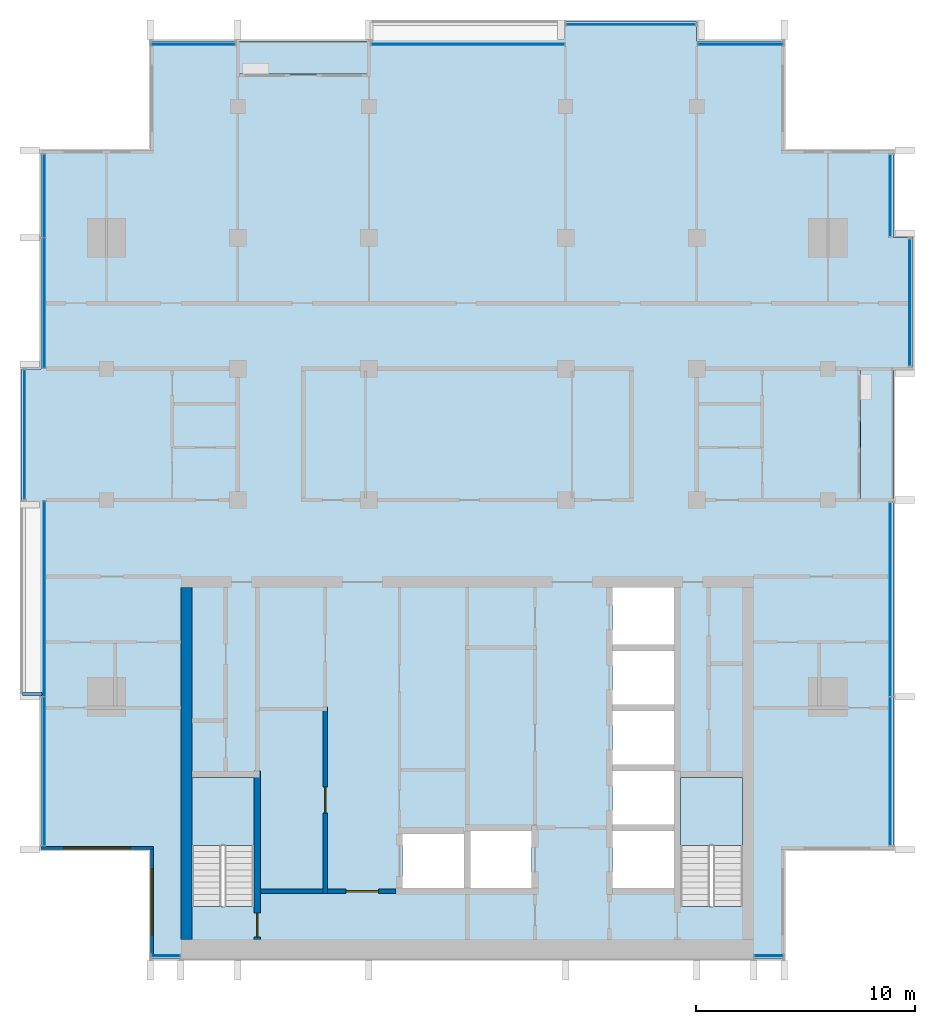
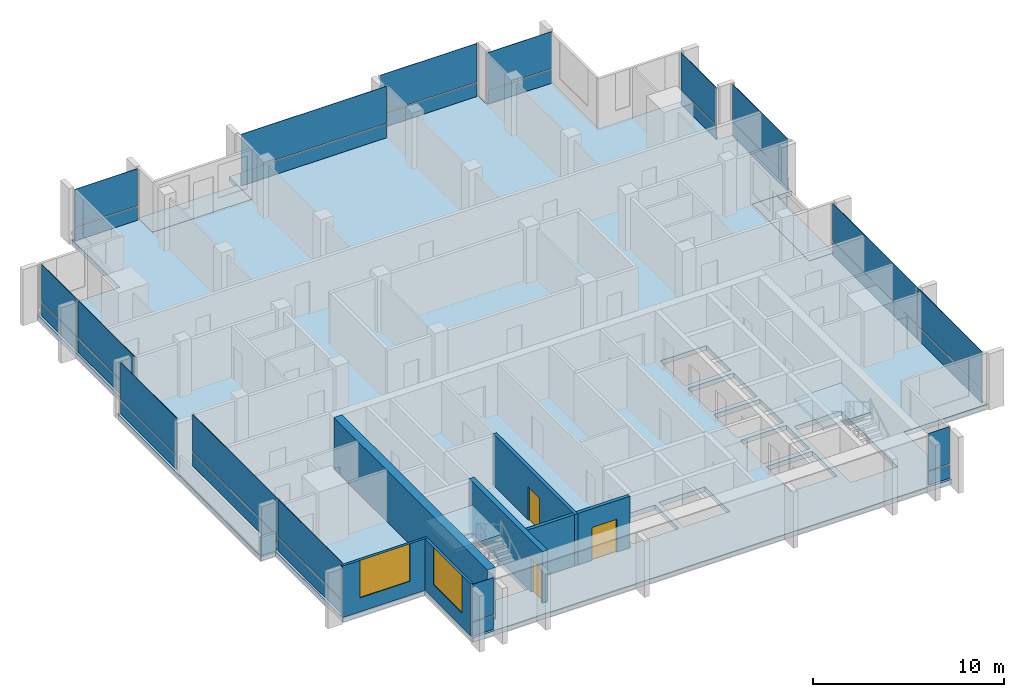
# One storey, part 6 of 15: 30 plates, 8 walls, 5 slabs, 3 doors, 2 windows, 5 openings, 14 elements without a shape of their own.
"""IFC4 building model written with IfcOpenShell, lengths in metres."""

from ifc_helpers import new_model, si_unit, direction, frame, frame_2d, origin, origin_2d, place, context, subcontext, project, spatial, polyline, rectangle, outline, extrude, material, layer, layer_set, type_object, element, fill, aggregate, save


model = new_model("IFC4")

# Units and contexts
model_context = context("Model", 3, precision=1e-05, world=origin(), true_north=direction((0.0, 1.0)))
body_context = subcontext(model_context, "Body", "Model", "MODEL_VIEW")
ifc_project = project(units=[si_unit("LENGTHUNIT", "METRE"), si_unit("AREAUNIT", "SQUARE_METRE"), si_unit("VOLUMEUNIT", "CUBIC_METRE"), si_unit("PLANEANGLEUNIT", "RADIAN"), si_unit("MASSUNIT", "GRAM", prefix="KILO")], contexts=[model_context])

# Site, building, storey
site_placement = place(None, origin())
site = spatial("IfcSite", under=ifc_project, at=site_placement, CompositionType="ELEMENT")
building_placement = place(site_placement, origin())
building = spatial("IfcBuilding", under=site, at=building_placement, Name="Finial Court Residences", CompositionType="ELEMENT")
storey_placement = place(building_placement, frame((0.0, 0.0, 269.89990234375)))
storey = spatial("IfcBuildingStorey", under=building, at=storey_placement, Name="L68", CompositionType="ELEMENT", Elevation=269.89990234375)

# Slabs
ifc_material_1 = material(Name="Concrete C35/45", Category="concrete")
ifc_layer_1 = layer(ifc_material_1, 0.199951171875)
ifc_layer_set_1 = layer_set([ifc_layer_1], Name="Balcony slab, Concrete C35/45 200")
slab_type_1 = type_object("IfcSlabType", Name="Balcony slab, Concrete C35/45 200", PredefinedType="FLOOR", material=ifc_layer_set_1)
slab_1_placement = place(storey_placement, frame((0.0, 0.0, -0.199951171875)))
element("IfcSlab", 1, at=slab_1_placement, inside=storey, type_object=slab_type_1, Name="Balcony L68-N2", PredefinedType="FLOOR", context=body_context, shape_type="SweptSolid", body=[
    extrude(outline(polyline([(-4.5, 15.0), (-4.5, 16.5), (-10.5, 16.5), (-10.5, 15.0), (-4.5, 15.0)])), origin(), (0.0, 0.0, 1.0), 0.199951171875),
])
slab_2_placement = place(storey_placement, frame((0.0, 0.0, -0.199951171875)))
element("IfcSlab", 2, at=slab_2_placement, inside=storey, type_object=slab_type_1, Name="Balcony L68-E3", PredefinedType="FLOOR", context=body_context, shape_type="SweptSolid", body=[
    extrude(outline(polyline([(19.5, -4.5), (19.5, 1.5), (18.0, 1.5), (18.0, -4.5), (19.5, -4.5)])), origin(), (0.0, 0.0, 1.0), 0.199951171875),
])

# Curtain wall, plate
ifc_material_2 = material(Name="Bronze anodised aluminium", Category="aluminium")
curtain_wall_type = type_object("IfcCurtainWallType", Name="Unitised curtain wall, upper zones", PredefinedType="NOTDEFINED", material=ifc_material_2)
curtain_wall_1_placement = place(storey_placement, origin())
curtain_wall_1 = element("IfcCurtainWall", 3, at=curtain_wall_1_placement, inside=storey, type_object=curtain_wall_type, Name="E-L68-CW-N1", PredefinedType="NOTDEFINED")
ifc_layer_2 = layer(ifc_material_2, 0.035888671875)
ifc_layer_set_2 = layer_set([ifc_layer_2], Name="CW2 spandrel panel 36")
plate_type_1 = type_object("IfcPlateType", Name="CW2 spandrel panel 36", PredefinedType="CURTAIN_PANEL", material=ifc_layer_set_2)
plate_1_placement = place(storey_placement, frame((-12.53759765625, 16.35009765625, 0.0), z_axis=(0.0, 0.0, 1.0), x_axis=(1.0, 0.0, 0.0)))
plate_1 = element("IfcPlate", 4, at=plate_1_placement, type_object=plate_type_1, Name="CW2 spandrel 1.1", PredefinedType="CURTAIN_PANEL", context=body_context, shape_type="SweptSolid", body=[
    extrude(rectangle(XDim=3.804931640625, YDim=0.035888671875, at=origin_2d()), origin(), (0.0, 0.0, 1.0), 0.8701171875),
])

curtain_wall_2_placement = place(storey_placement, origin())
curtain_wall_2 = element("IfcCurtainWall", 5, at=curtain_wall_2_placement, inside=storey, type_object=curtain_wall_type, Name="E-L68-CW-N2", PredefinedType="NOTDEFINED")
plate_2_placement = place(storey_placement, frame((0.03759765625, 16.35009765625, 0.0), z_axis=(0.0, 0.0, 1.0), x_axis=(1.0, 0.0, 0.0)))
plate_2 = element("IfcPlate", 6, at=plate_2_placement, type_object=plate_type_1, Name="CW2 spandrel 1.1", PredefinedType="CURTAIN_PANEL", context=body_context, shape_type="SweptSolid", body=[
    extrude(rectangle(XDim=8.804931640625, YDim=0.035888671875, at=origin_2d()), origin(), (0.0, 0.0, 1.0), 0.8701171875),
])

curtain_wall_3_placement = place(storey_placement, origin())
curtain_wall_3 = element("IfcCurtainWall", 7, at=curtain_wall_3_placement, inside=storey, type_object=curtain_wall_type, Name="E-L68-CW-N3", PredefinedType="NOTDEFINED")
plate_3_placement = place(storey_placement, frame((7.5, 17.25, 0.0), z_axis=(0.0, 0.0, 1.0), x_axis=(1.0, 0.0, 0.0)))
plate_3 = element("IfcPlate", 8, at=plate_3_placement, type_object=plate_type_1, Name="CW2 spandrel 1.1", PredefinedType="CURTAIN_PANEL", context=body_context, shape_type="SweptSolid", body=[
    extrude(rectangle(XDim=5.8798828125, YDim=0.035888671875, at=origin_2d()), origin(), (0.0, 0.0, 1.0), 0.8701171875),
])

curtain_wall_4_placement = place(storey_placement, origin())
curtain_wall_4 = element("IfcCurtainWall", 9, at=curtain_wall_4_placement, inside=storey, type_object=curtain_wall_type, Name="E-L68-CW-N4", PredefinedType="NOTDEFINED")
plate_4_placement = place(storey_placement, frame((12.5, 16.35009765625, 0.0), z_axis=(0.0, 0.0, 1.0), x_axis=(1.0, 0.0, 0.0)))
plate_4 = element("IfcPlate", 10, at=plate_4_placement, type_object=plate_type_1, Name="CW2 spandrel 1.1", PredefinedType="CURTAIN_PANEL", context=body_context, shape_type="SweptSolid", body=[
    extrude(rectangle(XDim=3.8798828125, YDim=0.035888671875, at=origin_2d()), origin(), (0.0, 0.0, 1.0), 0.8701171875),
])

# Curtain wall, plates
curtain_wall_5_placement = place(storey_placement, origin())
curtain_wall_5 = element("IfcCurtainWall", 11, at=curtain_wall_5_placement, inside=storey, type_object=curtain_wall_type, Name="E-L68-CW-E5", PredefinedType="NOTDEFINED")
plate_5_placement = place(storey_placement, frame((19.35009765625, -16.909912109375, 0.0), z_axis=(0.0, 0.0, 1.0), x_axis=(0.0, 1.0, 0.0)))
plate_5 = element("IfcPlate", 12, at=plate_5_placement, type_object=plate_type_1, Name="CW2 spandrel 1.1", PredefinedType="CURTAIN_PANEL", context=body_context, shape_type="SweptSolid", body=[
    extrude(rectangle(XDim=6.760009765625, YDim=0.035888671875, at=origin_2d()), origin(), (0.0, 0.0, 1.0), 0.8701171875),
])
plate_6_placement = place(storey_placement, frame((19.35009765625, -9.052490234375, 0.0), z_axis=(0.0, 0.0, 1.0), x_axis=(0.0, 1.0, 0.0)))
plate_6 = element("IfcPlate", 13, at=plate_6_placement, type_object=plate_type_1, Name="CW2 spandrel 2.1", PredefinedType="CURTAIN_PANEL", context=body_context, shape_type="SweptSolid", body=[
    extrude(rectangle(XDim=8.8349609375, YDim=0.035888671875, at=origin_2d()), origin(), (0.0, 0.0, 1.0), 0.8701171875),
])

# Curtain wall, plate
curtain_wall_6_placement = place(storey_placement, origin())
curtain_wall_6 = element("IfcCurtainWall", 14, at=curtain_wall_6_placement, inside=storey, type_object=curtain_wall_type, Name="E-L68-CW-E6", PredefinedType="NOTDEFINED")
plate_7_placement = place(storey_placement, frame((20.25, 4.53759765625, 0.0), z_axis=(0.0, 0.0, 1.0), x_axis=(0.0, 1.0, 0.0)))
plate_7 = element("IfcPlate", 15, at=plate_7_placement, type_object=plate_type_1, Name="CW2 spandrel 1.1", PredefinedType="CURTAIN_PANEL", context=body_context, shape_type="SweptSolid", body=[
    extrude(rectangle(XDim=5.804931640625, YDim=0.035888671875, at=origin_2d()), origin(), (0.0, 0.0, 1.0), 0.8701171875),
])

curtain_wall_7_placement = place(storey_placement, origin())
curtain_wall_7 = element("IfcCurtainWall", 16, at=curtain_wall_7_placement, inside=storey, type_object=curtain_wall_type, Name="E-L68-CW-E7", PredefinedType="NOTDEFINED")
plate_8_placement = place(storey_placement, frame((19.35009765625, 9.425048828125, 0.0), z_axis=(0.0, 0.0, 1.0), x_axis=(0.0, 1.0, 0.0)))
plate_8 = element("IfcPlate", 17, at=plate_8_placement, type_object=plate_type_1, Name="CW2 spandrel 1.1", PredefinedType="CURTAIN_PANEL", context=body_context, shape_type="SweptSolid", body=[
    extrude(rectangle(XDim=3.72998046875, YDim=0.035888671875, at=origin_2d()), origin(), (0.0, 0.0, 1.0), 0.8701171875),
])

curtain_wall_8_placement = place(storey_placement, origin())
curtain_wall_8 = element("IfcCurtainWall", 18, at=curtain_wall_8_placement, inside=storey, type_object=curtain_wall_type, Name="E-L68-CW-S8", PredefinedType="NOTDEFINED")
plate_9_placement = place(storey_placement, frame((-13.800048828125, -25.35009765625, 0.0), z_axis=(0.0, 0.0, 1.0), x_axis=(1.0, 0.0, 0.0)))
plate_9 = element("IfcPlate", 19, at=plate_9_placement, type_object=plate_type_1, Name="CW2 spandrel 1.1", PredefinedType="CURTAIN_PANEL", context=body_context, shape_type="SweptSolid", body=[
    extrude(rectangle(XDim=1.280029296875, YDim=0.035888671875, at=origin_2d()), origin(), (0.0, 0.0, 1.0), 0.8701171875),
])

curtain_wall_9_placement = place(storey_placement, origin())
curtain_wall_9 = element("IfcCurtainWall", 20, at=curtain_wall_9_placement, inside=storey, type_object=curtain_wall_type, Name="E-L68-CW-S9", PredefinedType="NOTDEFINED")
plate_10_placement = place(storey_placement, frame((13.800048828125, -25.35009765625, 0.0), z_axis=(0.0, 0.0, 1.0), x_axis=(1.0, 0.0, 0.0)))
plate_10 = element("IfcPlate", 21, at=plate_10_placement, type_object=plate_type_1, Name="CW2 spandrel 1.1", PredefinedType="CURTAIN_PANEL", context=body_context, shape_type="SweptSolid", body=[
    extrude(rectangle(XDim=1.280029296875, YDim=0.035888671875, at=origin_2d()), origin(), (0.0, 0.0, 1.0), 0.8701171875),
])

# Curtain wall, plates
curtain_wall_10_placement = place(storey_placement, origin())
curtain_wall_10 = element("IfcCurtainWall", 22, at=curtain_wall_10_placement, inside=storey, type_object=curtain_wall_type, Name="E-L68-CW-W10", PredefinedType="NOTDEFINED")
plate_11_placement = place(storey_placement, frame((-19.35009765625, -16.909912109375, 0.0), z_axis=(0.0, 0.0, 1.0), x_axis=(0.0, 1.0, 0.0)))
plate_11 = element("IfcPlate", 23, at=plate_11_placement, type_object=plate_type_1, Name="CW2 spandrel 1.1", PredefinedType="CURTAIN_PANEL", context=body_context, shape_type="SweptSolid", body=[
    extrude(rectangle(XDim=6.760009765625, YDim=0.035888671875, at=origin_2d()), origin(), (0.0, 0.0, 1.0), 0.8701171875),
])
plate_12_placement = place(storey_placement, frame((-19.35009765625, -9.014892578125, 0.0), z_axis=(0.0, 0.0, 1.0), x_axis=(0.0, 1.0, 0.0)))
plate_12 = element("IfcPlate", 24, at=plate_12_placement, type_object=plate_type_1, Name="CW2 spandrel 2.1", PredefinedType="CURTAIN_PANEL", context=body_context, shape_type="SweptSolid", body=[
    extrude(rectangle(XDim=8.909912109375, YDim=0.035888671875, at=origin_2d()), origin(), (0.0, 0.0, 1.0), 0.8701171875),
])

# Curtain wall, plate
curtain_wall_11_placement = place(storey_placement, origin())
curtain_wall_11 = element("IfcCurtainWall", 25, at=curtain_wall_11_placement, inside=storey, type_object=curtain_wall_type, Name="E-L68-CW-W11", PredefinedType="NOTDEFINED")
plate_13_placement = place(storey_placement, frame((-20.25, -1.5, 0.0), z_axis=(0.0, 0.0, 1.0), x_axis=(0.0, 1.0, 0.0)))
plate_13 = element("IfcPlate", 26, at=plate_13_placement, type_object=plate_type_1, Name="CW2 spandrel 1.1", PredefinedType="CURTAIN_PANEL", context=body_context, shape_type="SweptSolid", body=[
    extrude(rectangle(XDim=5.8798828125, YDim=0.035888671875, at=origin_2d()), origin(), (0.0, 0.0, 1.0), 0.8701171875),
])

# Curtain wall, plates
curtain_wall_12_placement = place(storey_placement, origin())
curtain_wall_12 = element("IfcCurtainWall", 27, at=curtain_wall_12_placement, inside=storey, type_object=curtain_wall_type, Name="E-L68-CW-W12", PredefinedType="NOTDEFINED")
plate_14_placement = place(storey_placement, frame((-19.35009765625, 4.514892578125, 0.0), z_axis=(0.0, 0.0, 1.0), x_axis=(0.0, 1.0, 0.0)))
plate_14 = element("IfcPlate", 28, at=plate_14_placement, type_object=plate_type_1, Name="CW2 spandrel 1.1", PredefinedType="CURTAIN_PANEL", context=body_context, shape_type="SweptSolid", body=[
    extrude(rectangle(XDim=5.909912109375, YDim=0.035888671875, at=origin_2d()), origin(), (0.0, 0.0, 1.0), 0.8701171875),
])
plate_15_placement = place(storey_placement, frame((-19.35009765625, 9.409912109375, 0.0), z_axis=(0.0, 0.0, 1.0), x_axis=(0.0, 1.0, 0.0)))
plate_15 = element("IfcPlate", 29, at=plate_15_placement, type_object=plate_type_1, Name="CW2 spandrel 2.1", PredefinedType="CURTAIN_PANEL", context=body_context, shape_type="SweptSolid", body=[
    extrude(rectangle(XDim=3.760009765625, YDim=0.035888671875, at=origin_2d()), origin(), (0.0, 0.0, 1.0), 0.8701171875),
])

# Plate
ifc_material_3 = material(Name="Clear low-e glass", Category="glass")
ifc_layer_3 = layer(ifc_material_3, 0.030029296875)
ifc_layer_set_3 = layer_set([ifc_layer_3], Name="CW2 vision glass 30")
plate_type_2 = type_object("IfcPlateType", Name="CW2 vision glass 30", PredefinedType="CURTAIN_PANEL", material=ifc_layer_set_3)
plate_16_placement = place(storey_placement, frame((-12.53759765625, 16.35009765625, 0.929931640625), z_axis=(0.0, 0.0, 1.0), x_axis=(1.0, 0.0, 0.0)))
plate_16 = element("IfcPlate", 30, at=plate_16_placement, type_object=plate_type_2, Name="CW2 glass 1.2", PredefinedType="CURTAIN_PANEL", context=body_context, shape_type="SweptSolid", body=[
    extrude(rectangle(XDim=3.804931640625, YDim=0.030029296875, at=origin_2d()), origin(), (0.0, 0.0, 1.0), 2.3701171875),
])

aggregate(curtain_wall_1, [plate_1, plate_16])

plate_17_placement = place(storey_placement, frame((0.03759765625, 16.35009765625, 0.929931640625), z_axis=(0.0, 0.0, 1.0), x_axis=(1.0, 0.0, 0.0)))
plate_17 = element("IfcPlate", 31, at=plate_17_placement, type_object=plate_type_2, Name="CW2 glass 1.2", PredefinedType="CURTAIN_PANEL", context=body_context, shape_type="SweptSolid", body=[
    extrude(rectangle(XDim=8.804931640625, YDim=0.030029296875, at=origin_2d()), origin(), (0.0, 0.0, 1.0), 2.3701171875),
])

aggregate(curtain_wall_2, [plate_2, plate_17])

plate_18_placement = place(storey_placement, frame((7.5, 17.25, 0.93017578125), z_axis=(0.0, 0.0, 1.0), x_axis=(1.0, 0.0, 0.0)))
plate_18 = element("IfcPlate", 32, at=plate_18_placement, type_object=plate_type_2, Name="CW2 glass 1.2", PredefinedType="CURTAIN_PANEL", context=body_context, shape_type="SweptSolid", body=[
    extrude(rectangle(XDim=5.8798828125, YDim=0.030029296875, at=origin_2d()), origin(), (0.0, 0.0, 1.0), 2.469970703125),
])

aggregate(curtain_wall_3, [plate_3, plate_18])

plate_19_placement = place(storey_placement, frame((12.5, 16.35009765625, 0.929931640625), z_axis=(0.0, 0.0, 1.0), x_axis=(1.0, 0.0, 0.0)))
plate_19 = element("IfcPlate", 33, at=plate_19_placement, type_object=plate_type_2, Name="CW2 glass 1.2", PredefinedType="CURTAIN_PANEL", context=body_context, shape_type="SweptSolid", body=[
    extrude(rectangle(XDim=3.8798828125, YDim=0.030029296875, at=origin_2d()), origin(), (0.0, 0.0, 1.0), 2.3701171875),
])

aggregate(curtain_wall_4, [plate_4, plate_19])

plate_20_placement = place(storey_placement, frame((19.35009765625, -16.909912109375, 0.929931640625), z_axis=(0.0, 0.0, 1.0), x_axis=(0.0, 1.0, 0.0)))
plate_20 = element("IfcPlate", 34, at=plate_20_placement, type_object=plate_type_2, Name="CW2 glass 1.2", PredefinedType="CURTAIN_PANEL", context=body_context, shape_type="SweptSolid", body=[
    extrude(rectangle(XDim=6.760009765625, YDim=0.030029296875, at=origin_2d()), origin(), (0.0, 0.0, 1.0), 2.3701171875),
])

plate_21_placement = place(storey_placement, frame((19.35009765625, -9.052490234375, 0.929931640625), z_axis=(0.0, 0.0, 1.0), x_axis=(0.0, 1.0, 0.0)))
plate_21 = element("IfcPlate", 35, at=plate_21_placement, type_object=plate_type_2, Name="CW2 glass 2.2", PredefinedType="CURTAIN_PANEL", context=body_context, shape_type="SweptSolid", body=[
    extrude(rectangle(XDim=8.8349609375, YDim=0.030029296875, at=origin_2d()), origin(), (0.0, 0.0, 1.0), 2.3701171875),
])

aggregate(curtain_wall_5, [plate_5, plate_20, plate_6, plate_21])

plate_22_placement = place(storey_placement, frame((20.25, 4.53759765625, 0.929931640625), z_axis=(0.0, 0.0, 1.0), x_axis=(0.0, 1.0, 0.0)))
plate_22 = element("IfcPlate", 36, at=plate_22_placement, type_object=plate_type_2, Name="CW2 glass 1.2", PredefinedType="CURTAIN_PANEL", context=body_context, shape_type="SweptSolid", body=[
    extrude(rectangle(XDim=5.804931640625, YDim=0.030029296875, at=origin_2d()), origin(), (0.0, 0.0, 1.0), 2.3701171875),
])

aggregate(curtain_wall_6, [plate_7, plate_22])

plate_23_placement = place(storey_placement, frame((19.35009765625, 9.425048828125, 0.929931640625), z_axis=(0.0, 0.0, 1.0), x_axis=(0.0, 1.0, 0.0)))
plate_23 = element("IfcPlate", 37, at=plate_23_placement, type_object=plate_type_2, Name="CW2 glass 1.2", PredefinedType="CURTAIN_PANEL", context=body_context, shape_type="SweptSolid", body=[
    extrude(rectangle(XDim=3.72998046875, YDim=0.030029296875, at=origin_2d()), origin(), (0.0, 0.0, 1.0), 2.3701171875),
])

aggregate(curtain_wall_7, [plate_8, plate_23])

plate_24_placement = place(storey_placement, frame((-13.800048828125, -25.35009765625, 0.929931640625), z_axis=(0.0, 0.0, 1.0), x_axis=(1.0, 0.0, 0.0)))
plate_24 = element("IfcPlate", 38, at=plate_24_placement, type_object=plate_type_2, Name="CW2 glass 1.2", PredefinedType="CURTAIN_PANEL", context=body_context, shape_type="SweptSolid", body=[
    extrude(rectangle(XDim=1.280029296875, YDim=0.030029296875, at=origin_2d()), origin(), (0.0, 0.0, 1.0), 2.3701171875),
])

aggregate(curtain_wall_8, [plate_9, plate_24])

plate_25_placement = place(storey_placement, frame((13.800048828125, -25.35009765625, 0.929931640625), z_axis=(0.0, 0.0, 1.0), x_axis=(1.0, 0.0, 0.0)))
plate_25 = element("IfcPlate", 39, at=plate_25_placement, type_object=plate_type_2, Name="CW2 glass 1.2", PredefinedType="CURTAIN_PANEL", context=body_context, shape_type="SweptSolid", body=[
    extrude(rectangle(XDim=1.280029296875, YDim=0.030029296875, at=origin_2d()), origin(), (0.0, 0.0, 1.0), 2.3701171875),
])

aggregate(curtain_wall_9, [plate_10, plate_25])

plate_26_placement = place(storey_placement, frame((-19.35009765625, -16.909912109375, 0.929931640625), z_axis=(0.0, 0.0, 1.0), x_axis=(0.0, 1.0, 0.0)))
plate_26 = element("IfcPlate", 40, at=plate_26_placement, type_object=plate_type_2, Name="CW2 glass 1.2", PredefinedType="CURTAIN_PANEL", context=body_context, shape_type="SweptSolid", body=[
    extrude(rectangle(XDim=6.760009765625, YDim=0.030029296875, at=origin_2d()), origin(), (0.0, 0.0, 1.0), 2.3701171875),
])

plate_27_placement = place(storey_placement, frame((-19.35009765625, -9.014892578125, 0.929931640625), z_axis=(0.0, 0.0, 1.0), x_axis=(0.0, 1.0, 0.0)))
plate_27 = element("IfcPlate", 41, at=plate_27_placement, type_object=plate_type_2, Name="CW2 glass 2.2", PredefinedType="CURTAIN_PANEL", context=body_context, shape_type="SweptSolid", body=[
    extrude(rectangle(XDim=8.909912109375, YDim=0.030029296875, at=origin_2d()), origin(), (0.0, 0.0, 1.0), 2.3701171875),
])

aggregate(curtain_wall_10, [plate_11, plate_26, plate_12, plate_27])

plate_28_placement = place(storey_placement, frame((-20.25, -1.5, 0.929931640625), z_axis=(0.0, 0.0, 1.0), x_axis=(0.0, 1.0, 0.0)))
plate_28 = element("IfcPlate", 42, at=plate_28_placement, type_object=plate_type_2, Name="CW2 glass 1.2", PredefinedType="CURTAIN_PANEL", context=body_context, shape_type="SweptSolid", body=[
    extrude(rectangle(XDim=5.8798828125, YDim=0.030029296875, at=origin_2d()), origin(), (0.0, 0.0, 1.0), 2.3701171875),
])

aggregate(curtain_wall_11, [plate_13, plate_28])

plate_29_placement = place(storey_placement, frame((-19.35009765625, 4.514892578125, 0.929931640625), z_axis=(0.0, 0.0, 1.0), x_axis=(0.0, 1.0, 0.0)))
plate_29 = element("IfcPlate", 43, at=plate_29_placement, type_object=plate_type_2, Name="CW2 glass 1.2", PredefinedType="CURTAIN_PANEL", context=body_context, shape_type="SweptSolid", body=[
    extrude(rectangle(XDim=5.909912109375, YDim=0.030029296875, at=origin_2d()), origin(), (0.0, 0.0, 1.0), 2.3701171875),
])

plate_30_placement = place(storey_placement, frame((-19.35009765625, 9.409912109375, 0.929931640625), z_axis=(0.0, 0.0, 1.0), x_axis=(0.0, 1.0, 0.0)))
plate_30 = element("IfcPlate", 44, at=plate_30_placement, type_object=plate_type_2, Name="CW2 glass 2.2", PredefinedType="CURTAIN_PANEL", context=body_context, shape_type="SweptSolid", body=[
    extrude(rectangle(XDim=3.760009765625, YDim=0.030029296875, at=origin_2d()), origin(), (0.0, 0.0, 1.0), 2.3701171875),
])

aggregate(curtain_wall_12, [plate_14, plate_29, plate_15, plate_30])

# Stair, slab
ifc_material_4 = material(Name="Concrete C50/60", Category="concrete")
stair_type = type_object("IfcStairType", Name="Exit stair 22 risers of 163.6 mm", PredefinedType="HALF_TURN_STAIR", material=ifc_material_4)
stair_1_placement = place(storey_placement, origin())
stair_1 = element("IfcStair", 45, at=stair_1_placement, inside=storey, type_object=stair_type, Name="L68 Exit stair ST-1", PredefinedType="HALF_TURN_STAIR")
ifc_layer_4 = layer(ifc_material_4, 0.199951171875)
ifc_layer_set_4 = layer_set([ifc_layer_4], Name="Exit stair landing")
slab_type_2 = type_object("IfcSlabType", Name="Exit stair landing", PredefinedType="LANDING", material=ifc_layer_set_4)
slab_3_placement = place(storey_placement, frame((0.0, 0.0, 1.60009765625)))
slab_3 = element("IfcSlab", 46, at=slab_3_placement, type_object=slab_type_2, Name="ST-1 landing 1", PredefinedType="LANDING", context=body_context, shape_type="SweptSolid", body=[
    extrude(outline(polyline([(-9.75, -20.300048828125), (-9.75, -17.199951171875), (-12.60009765625, -17.199951171875), (-12.60009765625, -20.300048828125), (-9.75, -20.300048828125)])), origin(), (0.0, 0.0, 1.0), 0.199951171875),
])
aggregate(stair_1, [slab_3])

stair_2_placement = place(storey_placement, origin())
stair_2 = element("IfcStair", 47, at=stair_2_placement, inside=storey, type_object=stair_type, Name="L68 Exit stair ST-2", PredefinedType="HALF_TURN_STAIR")
slab_4_placement = place(storey_placement, frame((0.0, 0.0, 1.60009765625)))
slab_4 = element("IfcSlab", 48, at=slab_4_placement, type_object=slab_type_2, Name="ST-2 landing 1", PredefinedType="LANDING", context=body_context, shape_type="SweptSolid", body=[
    extrude(outline(polyline([(12.60009765625, -20.300048828125), (12.60009765625, -17.199951171875), (9.75, -17.199951171875), (9.75, -20.300048828125), (12.60009765625, -20.300048828125)])), origin(), (0.0, 0.0, 1.0), 0.199951171875),
])
aggregate(stair_2, [slab_4])

# Slab
ifc_material_5 = material(Name="Concrete C40/50", Category="concrete")
ifc_layer_5 = layer(ifc_material_5, 0.300048828125)
ifc_layer_set_5 = layer_set([ifc_layer_5], Name="Flat plate slab 300 Concrete C40/50")
slab_type_3 = type_object("IfcSlabType", Name="Flat plate slab 300 Concrete C40/50", PredefinedType="FLOOR", material=ifc_layer_set_5)
slab_5_placement = place(storey_placement, frame((0.0, 0.0, -0.2998046875)))
element("IfcSlab", 49, at=slab_5_placement, inside=storey, type_object=slab_type_3, Name="S:SLAB:L68", PredefinedType="FLOOR", context=body_context, shape_type="SweptSolid", body=[
    extrude(outline(polyline([(-20.39990234375, -13.5), (-20.39990234375, -4.5), (-20.39990234375, 1.5), (-19.5, 1.5), (-19.5, 11.5), (-14.5, 11.5), (-14.5, 16.5), (-10.5, 16.5), (-10.5, 15.0), (-4.5, 15.0), (-4.5, 16.5), (-4.5, 17.39990234375), (4.5, 17.39990234375), (10.5, 17.39990234375), (10.5, 16.5), (14.5, 16.5), (14.5, 11.5), (19.5, 11.5), (19.5, 7.5), (20.39990234375, 7.5), (20.39990234375, 1.5), (19.5, 1.5), (18.0, 1.5), (18.0, -4.5), (19.5, -4.5), (19.5, -20.5), (14.5, -20.5), (14.5, -25.5), (-14.5, -25.5), (-14.5, -20.5), (-19.5, -20.5), (-19.5, -13.5), (-20.39990234375, -13.5)]), holes=[polyline([(-0.14990234375, -19.77001953125), (-2.949951171875, -19.77001953125), (-2.949951171875, -22.25), (-0.14990234375, -22.25), (-0.14990234375, -19.77001953125)]), polyline([(2.949951171875, -19.64990234375), (0.14990234375, -19.64990234375), (0.14990234375, -22.25), (2.949951171875, -22.25), (2.949951171875, -19.64990234375)]), polyline([(9.449951171875, -19.64990234375), (6.64990234375, -19.64990234375), (6.64990234375, -22.25), (9.449951171875, -22.25), (9.449951171875, -19.64990234375)]), polyline([(-12.60009765625, -17.199951171875), (-12.60009765625, -23.09912109375), (-9.75, -23.09912109375), (-9.75, -17.199951171875), (-12.60009765625, -17.199951171875)]), polyline([(9.75, -17.199951171875), (9.75, -23.09912109375), (12.60009765625, -23.09912109375), (12.60009765625, -17.199951171875), (9.75, -17.199951171875)]), polyline([(9.449951171875, -16.89990234375), (6.64990234375, -16.89990234375), (6.64990234375, -19.35009765625), (9.449951171875, -19.35009765625), (9.449951171875, -16.89990234375)]), polyline([(9.449951171875, -14.14990234375), (6.64990234375, -14.14990234375), (6.64990234375, -16.60009765625), (9.449951171875, -16.60009765625), (9.449951171875, -14.14990234375)]), polyline([(9.449951171875, -13.85009765625), (9.449951171875, -11.39990234375), (6.64990234375, -11.39990234375), (6.64990234375, -13.85009765625), (9.449951171875, -13.85009765625)]), polyline([(9.449951171875, -11.10009765625), (9.449951171875, -8.5), (6.64990234375, -8.5), (6.64990234375, -11.10009765625), (9.449951171875, -11.10009765625)])]), origin(), (0.0, 0.0, 1.0), 0.2998046875),
])

# Walls
ifc_layer_6 = layer(ifc_material_4, 0.5)
ifc_layer_set_6 = layer_set([ifc_layer_6], Name="Core outer wall 500 Concrete C50/60")
wall_type_1 = type_object("IfcWallType", Name="Core outer wall 500 Concrete C50/60", PredefinedType="SHEAR", material=ifc_layer_set_6)
wall_1_placement = place(storey_placement, frame((-12.85009765625, -24.60009765625, 0.0), z_axis=(0.0, 0.0, 1.0), x_axis=(0.0, 1.0, 0.0)))
element("IfcWall", 50, at=wall_1_placement, inside=storey, type_object=wall_type_1, Name="Core outer wall L68-03", PredefinedType="SHEAR", context=body_context, shape_type="SweptSolid", body=[
    extrude(rectangle(XDim=16.10009765625, YDim=0.5, at=frame_2d((8.050048828125, 0.0))), origin(), (0.0, 0.0, 1.0), 3.300048828125),
])
ifc_layer_7 = layer(ifc_material_1, 0.14990234375)
ifc_layer_set_7 = layer_set([ifc_layer_7], Name="Ledge parapet, Concrete C35/45 150")
wall_type_2 = type_object("IfcWallType", Name="Ledge parapet, Concrete C35/45 150", PredefinedType="PARAPET", material=ifc_layer_set_7)
wall_2_placement = place(storey_placement, frame((-19.447509765625, -13.375, 0.0), z_axis=(0.0, 0.0, 1.0), x_axis=(-1.0, 0.0, 0.0)))
element("IfcWall", 51, at=wall_2_placement, inside=storey, type_object=wall_type_2, Name="E-L68-LED2-P1", PredefinedType="PARAPET", context=body_context, shape_type="SweptSolid", body=[
    extrude(rectangle(XDim=0.902587890625, YDim=0.14990234375, at=frame_2d((0.451171875, 0.0))), origin(), (0.0, 0.0, 1.0), 1.150146484375),
])

# Wall, opening, door
ifc_layer_8 = layer(ifc_material_4, 0.300048828125)
ifc_layer_set_8 = layer_set([ifc_layer_8], Name="Lift shaft and stair wall 300 Concrete C50/60")
wall_type_3 = type_object("IfcWallType", Name="Lift shaft and stair wall 300 Concrete C50/60", PredefinedType="SHEAR", material=ifc_layer_set_8)
wall_3_placement = place(storey_placement, frame((-9.60009765625, -24.60009765625, 0.0), z_axis=(0.0, 0.0, 1.0), x_axis=(0.0, 1.0, 0.0)))
wall_3 = element("IfcWall", 52, at=wall_3_placement, inside=storey, type_object=wall_type_3, Name="Core wall L68-21", PredefinedType="SHEAR", context=body_context, shape_type="SweptSolid", body=[
    extrude(rectangle(XDim=7.7001953125, YDim=0.300048828125, at=frame_2d((3.85009765625, 0.0))), origin(), (0.0, 0.0, 1.0), 3.300048828125),
])
opening_1_placement = place(wall_3_placement, frame((0.10009765625, 0.0, 0.0)))
opening_1 = element("IfcOpeningElement", 53, at=opening_1_placement, cuts=wall_3, Name="Opening L68-C19", PredefinedType="OPENING", context=body_context, shape_type="SweptSolid", body=[
    extrude(rectangle(XDim=1.10009765625, YDim=2.10009765625, at=frame_2d((0.550048828125, 1.050048828125))), frame((0.0, 0.159912109375, 0.0), z_axis=(0.0, -1.0, 0.0), x_axis=(1.0, 0.0, 0.0)), (0.0, 0.0, 1.0), 0.320068359375),
])
ifc_material_6 = material(Name="Steel fire door", Category="steel")
door_type_1 = type_object("IfcDoorType", Name="Stair door 1100 x 2100 EI 90", OperationType="NOTDEFINED", PredefinedType="DOOR", material=ifc_material_6)
door_1_placement = place(opening_1_placement, origin())
door_1 = element("IfcDoor", 54, at=door_1_placement, inside=storey, type_object=door_type_1, Name="Stair door L68-C19", OperationType="SINGLE_SWING_LEFT", OverallHeight=2.10009765625, OverallWidth=1.10009765625, PredefinedType="DOOR", context=body_context, shape_type="SweptSolid", body=[
    extrude(rectangle(XDim=1.10009765625, YDim=2.10009765625, at=frame_2d((0.550048828125, 1.050048828125))), frame((0.0, 0.02490234375, 0.0), z_axis=(0.0, -1.0, 0.0), x_axis=(1.0, 0.0, 0.0)), (0.0, 0.0, 1.0), 0.050048828125),
])
fill(opening_1, door_1)

# Wall, opening, window
ifc_material_7 = material(Name="Natural limestone", Category="masonry")
ifc_layer_9 = layer(ifc_material_7, 0.14990234375)
ifc_layer_set_9 = layer_set([ifc_layer_9], Name="Limestone clad wall 150")
wall_type_4 = type_object("IfcWallType", Name="Limestone clad wall 150", PredefinedType="SOLIDWALL", material=ifc_layer_set_9)
wall_4_placement = place(storey_placement, frame((-14.425048828125, -25.262451171875, 0.0), z_axis=(0.0, 0.0, 1.0), x_axis=(0.0, 1.0, 0.0)))
wall_4 = element("IfcWall", 55, at=wall_4_placement, inside=storey, type_object=wall_type_4, Name="E-L68-NWW13", PredefinedType="SOLIDWALL", context=body_context, shape_type="SweptSolid", body=[
    extrude(rectangle(XDim=4.762451171875, YDim=0.14990234375, at=frame_2d((2.38134765625, 0.0))), origin(), (0.0, 0.0, 1.0), 3.300048828125),
])
opening_2_placement = place(wall_4_placement, frame((0.881103515625, 0.0, 0.89990234375)))
opening_2 = element("IfcOpeningElement", 56, at=opening_2_placement, cuts=wall_4, Name="Opening WE68-01", PredefinedType="OPENING", context=body_context, shape_type="SweptSolid", body=[
    extrude(rectangle(XDim=3.0, YDim=2.39990234375, at=frame_2d((1.5, 1.199951171875))), frame((0.0, 0.0849609375, 0.0), z_axis=(0.0, -1.0, 0.0), x_axis=(1.0, 0.0, 0.0)), (0.0, 0.0, 1.0), 0.169921875),
])
window_type = type_object("IfcWindowType", Name="Corner window 3000 x 2400", PartitioningType="SINGLE_PANEL", PredefinedType="WINDOW", material=ifc_material_3)
window_1_placement = place(opening_2_placement, origin())
window_1 = element("IfcWindow", 57, at=window_1_placement, inside=storey, type_object=window_type, Name="E-L68-NWW13-W1", OverallHeight=2.39990234375, OverallWidth=3.0, PartitioningType="SINGLE_PANEL", PredefinedType="WINDOW", context=body_context, shape_type="SweptSolid", body=[
    extrude(rectangle(XDim=3.0, YDim=2.39990234375, at=frame_2d((1.5, 1.199951171875))), frame((0.0, 0.030029296875, 0.0), z_axis=(0.0, -1.0, 0.0), x_axis=(1.0, 0.0, 0.0)), (0.0, 0.0, 1.0), 0.06005859375),
])
fill(opening_2, window_1)

wall_5_placement = place(storey_placement, frame((-14.35009765625, -20.425048828125, 0.0), z_axis=(0.0, 0.0, 1.0), x_axis=(-1.0, 0.0, 0.0)))
wall_5 = element("IfcWall", 58, at=wall_5_placement, inside=storey, type_object=wall_type_4, Name="E-L68-NWS14", PredefinedType="SOLIDWALL", context=body_context, shape_type="SweptSolid", body=[
    extrude(rectangle(XDim=5.14990234375, YDim=0.14990234375, at=frame_2d((2.574951171875, 0.0))), origin(), (0.0, 0.0, 1.0), 3.300048828125),
])
opening_3_placement = place(wall_5_placement, frame((1.074951171875, 0.0, 0.89990234375)))
opening_3 = element("IfcOpeningElement", 59, at=opening_3_placement, cuts=wall_5, Name="Opening WE68-02", PredefinedType="OPENING", context=body_context, shape_type="SweptSolid", body=[
    extrude(rectangle(XDim=3.0, YDim=2.39990234375, at=frame_2d((1.5, 1.199951171875))), frame((0.0, 0.0849609375, 0.0), z_axis=(0.0, -1.0, 0.0), x_axis=(1.0, 0.0, 0.0)), (0.0, 0.0, 1.0), 0.169921875),
])
window_2_placement = place(opening_3_placement, origin())
window_2 = element("IfcWindow", 60, at=window_2_placement, inside=storey, type_object=window_type, Name="E-L68-NWS14-W1", OverallHeight=2.39990234375, OverallWidth=3.0, PartitioningType="SINGLE_PANEL", PredefinedType="WINDOW", context=body_context, shape_type="SweptSolid", body=[
    extrude(rectangle(XDim=3.0, YDim=2.39990234375, at=frame_2d((1.5, 1.199951171875))), frame((0.0, 0.030029296875, 0.0), z_axis=(0.0, -1.0, 0.0), x_axis=(1.0, 0.0, 0.0)), (0.0, 0.0, 1.0), 0.06005859375),
])
fill(opening_3, window_2)

# Wall
ifc_material_8 = material(Name="Fire-rated gypsum board partition")
ifc_layer_10 = layer(ifc_material_8, 0.199951171875)
ifc_layer_set_10 = layer_set([ifc_layer_10], Name="Riser room wall 200 EI 120")
wall_type_5 = type_object("IfcWallType", Name="Riser room wall 200 EI 120", PredefinedType="PARTITIONING", material=ifc_layer_set_10)
wall_6_placement = place(storey_placement, frame((-9.449951171875, -22.39990234375, 0.0), z_axis=(0.0, 0.0, 1.0), x_axis=(1.0, 0.0, 0.0)))
element("IfcWall", 61, at=wall_6_placement, inside=storey, type_object=wall_type_5, Name="Core partition L68-01", PredefinedType="PARTITIONING", context=body_context, shape_type="SweptSolid", body=[
    extrude(rectangle(XDim=2.849853515625, YDim=0.199951171875, at=frame_2d((1.4248046875, 0.0))), origin(), (0.0, 0.0, 1.0), 3.300048828125),
])

# Wall, opening, door
wall_7_placement = place(storey_placement, frame((-6.5, -22.5, 0.0), z_axis=(0.0, 0.0, 1.0), x_axis=(0.0, 1.0, 0.0)))
wall_7 = element("IfcWall", 62, at=wall_7_placement, inside=storey, type_object=wall_type_5, Name="Core partition L68-24", PredefinedType="PARTITIONING", context=body_context, shape_type="SweptSolid", body=[
    extrude(rectangle(XDim=8.5400390625, YDim=0.199951171875, at=frame_2d((4.27001953125, 0.0))), origin(), (0.0, 0.0, 1.0), 3.300048828125),
])
opening_4_placement = place(wall_7_placement, frame((3.669921875, 0.0, 0.0)))
opening_4 = element("IfcOpeningElement", 63, at=opening_4_placement, cuts=wall_7, Name="Opening L68-C09", PredefinedType="OPENING", context=body_context, shape_type="SweptSolid", body=[
    extrude(rectangle(XDim=1.199951171875, YDim=2.10009765625, at=frame_2d((0.60009765625, 1.050048828125))), frame((0.0, 0.10986328125, 0.0), z_axis=(0.0, -1.0, 0.0), x_axis=(1.0, 0.0, 0.0)), (0.0, 0.0, 1.0), 0.219970703125),
])
door_type_2 = type_object("IfcDoorType", Name="Riser room door 1200 x 2100 EI 90", OperationType="NOTDEFINED", PredefinedType="DOOR", material=ifc_material_6)
door_2_placement = place(opening_4_placement, origin())
door_2 = element("IfcDoor", 64, at=door_2_placement, inside=storey, type_object=door_type_2, Name="Riser room door L68-C09", OperationType="SINGLE_SWING_LEFT", OverallHeight=2.10009765625, OverallWidth=1.199951171875, PredefinedType="DOOR", context=body_context, shape_type="SweptSolid", body=[
    extrude(rectangle(XDim=1.199951171875, YDim=2.10009765625, at=frame_2d((0.60009765625, 1.050048828125))), frame((0.0, 0.02490234375, 0.0), z_axis=(0.0, -1.0, 0.0), x_axis=(1.0, 0.0, 0.0)), (0.0, 0.0, 1.0), 0.050048828125),
])
fill(opening_4, door_2)

ifc_layer_11 = layer(ifc_material_8, 0.199951171875)
ifc_layer_set_11 = layer_set([ifc_layer_11], Name="Stair passage wall 200 EI 180")
wall_type_6 = type_object("IfcWallType", Name="Stair passage wall 200 EI 180", PredefinedType="PARTITIONING", material=ifc_layer_set_11)
wall_8_placement = place(storey_placement, frame((-3.25, -22.39990234375, 0.0), z_axis=(0.0, 0.0, 1.0), x_axis=(-1.0, 0.0, 0.0)))
wall_8 = element("IfcWall", 65, at=wall_8_placement, inside=storey, type_object=wall_type_6, Name="Core partition L68-02", PredefinedType="PARTITIONING", context=body_context, shape_type="SweptSolid", body=[
    extrude(rectangle(XDim=3.14990234375, YDim=0.199951171875, at=frame_2d((1.574951171875, 0.0))), origin(), (0.0, 0.0, 1.0), 3.300048828125),
])
opening_5_placement = place(wall_8_placement, frame((0.800048828125, 0.0, 0.0)))
opening_5 = element("IfcOpeningElement", 66, at=opening_5_placement, cuts=wall_8, Name="Opening L68-C03", PredefinedType="OPENING", context=body_context, shape_type="SweptSolid", body=[
    extrude(rectangle(XDim=1.5, YDim=2.10009765625, at=frame_2d((0.75, 1.050048828125))), frame((0.0, 0.10986328125, 0.0), z_axis=(0.0, -1.0, 0.0), x_axis=(1.0, 0.0, 0.0)), (0.0, 0.0, 1.0), 0.219970703125),
])
door_type_3 = type_object("IfcDoorType", Name="Lift lobby door 1500 x 2100 EI 60", OperationType="DOUBLE_DOOR_SINGLE_SWING", PredefinedType="DOOR", material=ifc_material_6)
door_3_placement = place(opening_5_placement, origin())
door_3 = element("IfcDoor", 67, at=door_3_placement, inside=storey, type_object=door_type_3, Name="Lift lobby door L68-C03", OperationType="DOUBLE_DOOR_SINGLE_SWING", OverallHeight=2.10009765625, OverallWidth=1.5, PredefinedType="DOOR", context=body_context, shape_type="SweptSolid", body=[
    extrude(rectangle(XDim=1.5, YDim=2.10009765625, at=frame_2d((0.75, 1.050048828125))), frame((0.0, 0.02490234375, 0.0), z_axis=(0.0, -1.0, 0.0), x_axis=(1.0, 0.0, 0.0)), (0.0, 0.0, 1.0), 0.050048828125),
])
fill(opening_5, door_3)

save(model, "model.ifc")
